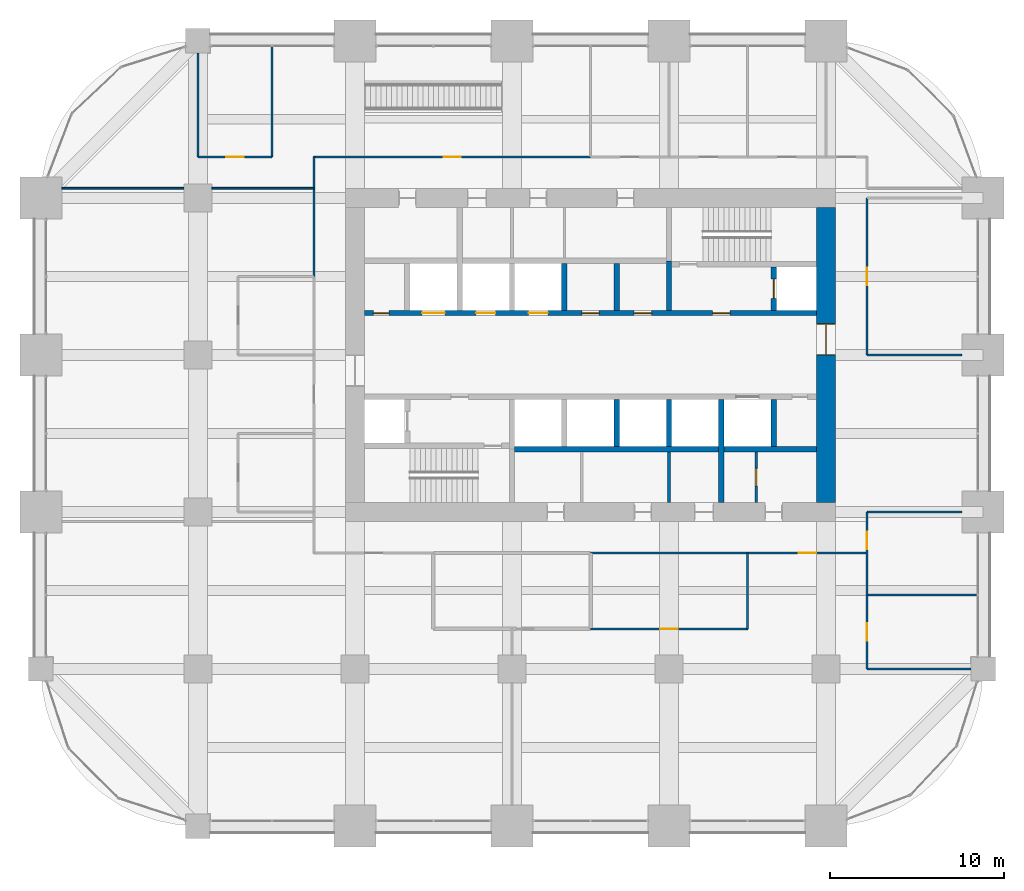
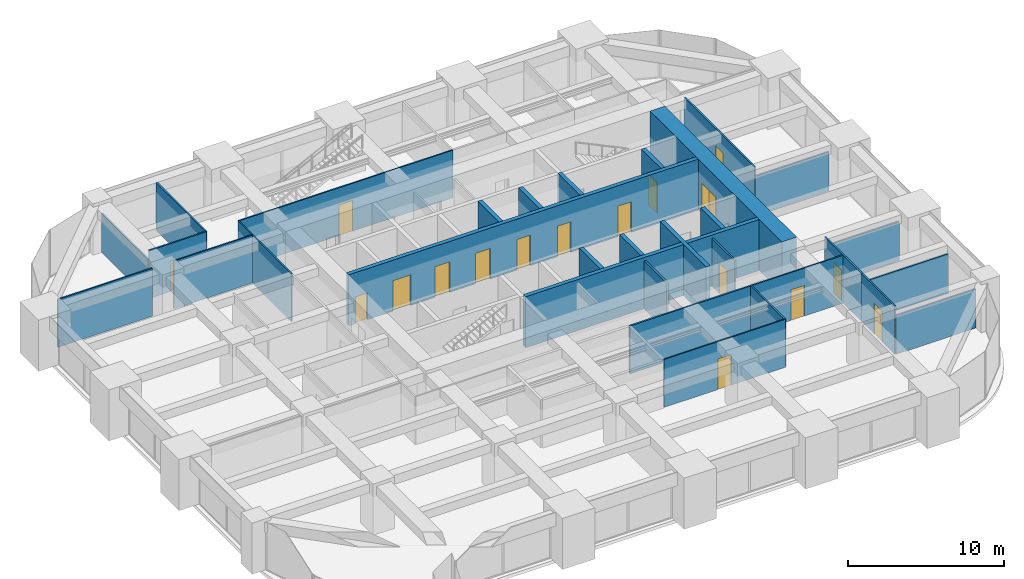
# One storey, part 30 of 33: 31 walls, 17 doors, 17 openings.
"""IFC4 building model written with IfcOpenShell, lengths in metres."""

from ifc_helpers import new_model, si_unit, direction, frame, frame_2d, origin, place, context, subcontext, project, spatial, rectangle, extrude, material, layer, layer_set, type_object, element, fill, save


model = new_model("IFC4")

# Units and contexts
model_context = context("Model", 3, precision=1e-05, world=origin(), true_north=direction((0.0, 1.0)))
body_context = subcontext(model_context, "Body", "Model", "MODEL_VIEW")
ifc_project = project(units=[si_unit("LENGTHUNIT", "METRE"), si_unit("AREAUNIT", "SQUARE_METRE"), si_unit("VOLUMEUNIT", "CUBIC_METRE"), si_unit("PLANEANGLEUNIT", "RADIAN"), si_unit("MASSUNIT", "GRAM", prefix="KILO")], contexts=[model_context])

# Site, building, storey
site_placement = place(None, origin())
site = spatial("IfcSite", under=ifc_project, at=site_placement, CompositionType="ELEMENT")
building_placement = place(site_placement, origin())
building = spatial("IfcBuilding", under=site, at=building_placement, Name="Zorevar Civic Tower", CompositionType="ELEMENT")
storey_placement = place(building_placement, frame((0.0, 0.0, 194.199951171875)))
storey = spatial("IfcBuildingStorey", under=building, at=storey_placement, Name="L47", CompositionType="ELEMENT", Elevation=194.199951171875)

# Wall, opening, door
ifc_material_1 = material(Name="Concrete C50/60", Category="concrete")
ifc_layer_1 = layer(ifc_material_1, 1.10009765625)
ifc_layer_set_1 = layer_set([ifc_layer_1], Name="Core wall 1100")
wall_type_1 = type_object("IfcWallType", Name="Core wall 1100", PredefinedType="SHEAR", material=ifc_layer_set_1)
wall_1_placement = place(storey_placement, frame((45.0, 18.550048828125, 0.0), z_axis=(0.0, 0.0, 1.0), x_axis=(0.0, 1.0, 0.0)))
wall_1 = element("IfcWall", 1, at=wall_1_placement, inside=storey, type_object=wall_type_1, Name="Core wall E L47", PredefinedType="SHEAR", context=body_context, shape_type="SweptSolid", body=[
    extrude(rectangle(XDim=16.89990234375, YDim=1.10009765625, at=frame_2d((8.449951171875, 0.0))), origin(), (0.0, 0.0, 1.0), 4.0),
])
opening_1_placement = place(wall_1_placement, frame((8.449951171875, 0.0, 0.0)))
opening_1 = element("IfcOpeningElement", 2, at=opening_1_placement, cuts=wall_1, Name="Opening L47.02", PredefinedType="OPENING", context=body_context, shape_type="SweptSolid", body=[
    extrude(rectangle(XDim=1.800048828125, YDim=2.39990234375, at=frame_2d((0.89990234375, 1.199951171875))), frame((0.0, 0.56005859375, 0.0), z_axis=(0.0, -1.0, 0.0), x_axis=(1.0, 0.0, 0.0)), (0.0, 0.0, 1.0), 1.1201171875),
])
ifc_material_2 = material(Name="Steel door set", Category="steel")
door_type_1 = type_object("IfcDoorType", Name="Fire door FD2 1800x2400", OperationType="DOUBLE_DOOR_DOUBLE_SWING", PredefinedType="DOOR", material=ifc_material_2)
door_1_placement = place(opening_1_placement, origin())
door_1 = element("IfcDoor", 3, at=door_1_placement, inside=storey, type_object=door_type_1, Name="Door L47 01", OperationType="DOUBLE_DOOR_DOUBLE_SWING", OverallHeight=2.39990234375, OverallWidth=1.800048828125, PredefinedType="DOOR", context=body_context, shape_type="SweptSolid", body=[
    extrude(rectangle(XDim=1.800048828125, YDim=2.39990234375, at=frame_2d((0.89990234375, 1.199951171875))), frame((0.0, 0.030029296875, 0.0), z_axis=(0.0, -1.0, 0.0), x_axis=(1.0, 0.0, 0.0)), (0.0, 0.0, 1.0), 0.06005859375),
    extrude(rectangle(XDim=0.04, YDim=2.39990234375, at=frame_2d((0.02001953125, 1.199951171875))), frame((0.0, 0.5498046875, 0.0), z_axis=(0.0, -1.0, 0.0), x_axis=(1.0, 0.0, 0.0)), (0.0, 0.0, 1.0), 1.099609375),
    extrude(rectangle(XDim=0.04, YDim=2.39990234375, at=frame_2d((1.780029296875, 1.199951171875))), frame((0.0, 0.5498046875, 0.0), z_axis=(0.0, -1.0, 0.0), x_axis=(1.0, 0.0, 0.0)), (0.0, 0.0, 1.0), 1.099609375),
    extrude(rectangle(XDim=1.800048828125, YDim=0.04, at=frame_2d((0.89990234375, 2.3798828125))), frame((0.0, 0.5498046875, 0.0), z_axis=(0.0, -1.0, 0.0), x_axis=(1.0, 0.0, 0.0)), (0.0, 0.0, 1.0), 1.099609375),
])
fill(opening_1, door_1)

ifc_material_3 = material(Name="Laminated glass in black aluminium frame", Category="aluminium")
ifc_layer_2 = layer(ifc_material_3, 0.10009765625)
ifc_layer_set_2 = layer_set([ifc_layer_2], Name="Glazed partition 100")
wall_type_2 = type_object("IfcWallType", Name="Glazed partition 100", PredefinedType="PARTITIONING", material=ifc_layer_set_2)
wall_2_placement = place(storey_placement, frame((31.5, 11.300048828125, 0.0), z_axis=(0.0, 0.0, 1.0), x_axis=(1.0, 0.0, 0.0)))
wall_2 = element("IfcWall", 4, at=wall_2_placement, inside=storey, type_object=wall_type_2, Name="Glazed partition 100 L47", PredefinedType="PARTITIONING", context=body_context, shape_type="SweptSolid", body=[
    extrude(rectangle(XDim=9.0, YDim=0.10009765625, at=frame_2d((4.5, 0.0))), origin(), (0.0, 0.0, 1.0), 3.75),
])
opening_2_placement = place(wall_2_placement, frame((4.0, 0.0, 0.0)))
opening_2 = element("IfcOpeningElement", 5, at=opening_2_placement, cuts=wall_2, Name="Opening L47.18", PredefinedType="OPENING", context=body_context, shape_type="SweptSolid", body=[
    extrude(rectangle(XDim=1.0, YDim=2.39990234375, at=frame_2d((0.5, 1.199951171875))), frame((0.0, 0.06005859375, 0.0), z_axis=(0.0, -1.0, 0.0), x_axis=(1.0, 0.0, 0.0)), (0.0, 0.0, 1.0), 0.1201171875),
])
ifc_material_4 = material(Name="Timber door set", Category="wood")
door_type_2 = type_object("IfcDoorType", Name="Glazed door GD1 1000x2400", OperationType="SINGLE_SWING_LEFT", PredefinedType="DOOR", material=ifc_material_4)
door_2_placement = place(opening_2_placement, origin())
door_2 = element("IfcDoor", 6, at=door_2_placement, inside=storey, type_object=door_type_2, Name="Door L47 D1", OperationType="SINGLE_SWING_LEFT", OverallHeight=2.39990234375, OverallWidth=1.0, PredefinedType="DOOR", context=body_context, shape_type="SweptSolid", body=[
    extrude(rectangle(XDim=1.0, YDim=2.39990234375, at=frame_2d((0.5, 1.199951171875))), frame((0.0, 0.02001953125, 0.0), z_axis=(0.0, -1.0, 0.0), x_axis=(1.0, 0.0, 0.0)), (0.0, 0.0, 1.0), 0.0400390625),
])
fill(opening_2, door_2)

wall_3_placement = place(storey_placement, frame((40.5, 15.64990234375, 0.0), z_axis=(0.0, 0.0, 1.0), x_axis=(1.0, 0.0, 0.0)))
wall_3 = element("IfcWall", 7, at=wall_3_placement, inside=storey, type_object=wall_type_2, Name="Glazed partition 100 L47", PredefinedType="PARTITIONING", context=body_context, shape_type="SweptSolid", body=[
    extrude(rectangle(XDim=6.85009765625, YDim=0.10009765625, at=frame_2d((3.425048828125, 0.0))), origin(), (0.0, 0.0, 1.0), 3.75),
])
opening_3_placement = place(wall_3_placement, frame((2.925048828125, 0.0, 0.0)))
opening_3 = element("IfcOpeningElement", 8, at=opening_3_placement, cuts=wall_3, Name="Opening L47.20", PredefinedType="OPENING", context=body_context, shape_type="SweptSolid", body=[
    extrude(rectangle(XDim=1.0, YDim=2.39990234375, at=frame_2d((0.5, 1.199951171875))), frame((0.0, 0.06005859375, 0.0), z_axis=(0.0, -1.0, 0.0), x_axis=(1.0, 0.0, 0.0)), (0.0, 0.0, 1.0), 0.1201171875),
])
door_3_placement = place(opening_3_placement, origin())
door_3 = element("IfcDoor", 9, at=door_3_placement, inside=storey, type_object=door_type_2, Name="Door L47 D1", OperationType="SINGLE_SWING_RIGHT", OverallHeight=2.39990234375, OverallWidth=1.0, PredefinedType="DOOR", context=body_context, shape_type="SweptSolid", body=[
    extrude(rectangle(XDim=1.0, YDim=2.39990234375, at=frame_2d((0.5, 1.199951171875))), frame((0.0, 0.02001953125, 0.0), z_axis=(0.0, -1.0, 0.0), x_axis=(1.0, 0.0, 0.0)), (0.0, 0.0, 1.0), 0.0400390625),
])
fill(opening_3, door_3)

# Walls
wall_4_placement = place(storey_placement, frame((1.199951171875, 36.550048828125, 0.0), z_axis=(0.0, 0.0, 1.0), x_axis=(1.0, 0.0, 0.0)))
element("IfcWall", 10, at=wall_4_placement, inside=storey, type_object=wall_type_2, Name="Glazed partition 100 L47", PredefinedType="PARTITIONING", context=body_context, shape_type="SweptSolid", body=[
    extrude(rectangle(XDim=7.0, YDim=0.10009765625, at=frame_2d((3.5, 0.0))), origin(), (0.0, 0.0, 1.0), 3.75),
])
wall_5_placement = place(storey_placement, frame((9.800048828125, 36.550048828125, 0.0), z_axis=(0.0, 0.0, 1.0), x_axis=(1.0, 0.0, 0.0)))
element("IfcWall", 11, at=wall_5_placement, inside=storey, type_object=wall_type_2, Name="Glazed partition 100 L47", PredefinedType="PARTITIONING", context=body_context, shape_type="SweptSolid", body=[
    extrude(rectangle(XDim=5.849853515625, YDim=0.10009765625, at=frame_2d((2.9248046875, 0.0))), origin(), (0.0, 0.0, 1.0), 3.75),
])

# Wall, opening, door
wall_6_placement = place(storey_placement, frame((15.64990234375, 38.35009765625, 0.0), z_axis=(0.0, 0.0, 1.0), x_axis=(1.0, 0.0, 0.0)))
wall_6 = element("IfcWall", 12, at=wall_6_placement, inside=storey, type_object=wall_type_2, Name="Glazed partition 100 L47", PredefinedType="PARTITIONING", context=body_context, shape_type="SweptSolid", body=[
    extrude(rectangle(XDim=15.85009765625, YDim=0.10009765625, at=frame_2d((7.925048828125, 0.0))), origin(), (0.0, 0.0, 1.0), 3.75),
])
opening_4_placement = place(wall_6_placement, frame((7.425048828125, 0.0, 0.0)))
opening_4 = element("IfcOpeningElement", 13, at=opening_4_placement, cuts=wall_6, Name="Opening L47.25", PredefinedType="OPENING", context=body_context, shape_type="SweptSolid", body=[
    extrude(rectangle(XDim=1.0, YDim=2.39990234375, at=frame_2d((0.5, 1.199951171875))), frame((0.0, 0.06005859375, 0.0), z_axis=(0.0, -1.0, 0.0), x_axis=(1.0, 0.0, 0.0)), (0.0, 0.0, 1.0), 0.1201171875),
])
door_4_placement = place(opening_4_placement, origin())
door_4 = element("IfcDoor", 14, at=door_4_placement, inside=storey, type_object=door_type_2, Name="Door L47 D1", OperationType="SINGLE_SWING_LEFT", OverallHeight=2.39990234375, OverallWidth=1.0, PredefinedType="DOOR", context=body_context, shape_type="SweptSolid", body=[
    extrude(rectangle(XDim=1.0, YDim=2.39990234375, at=frame_2d((0.5, 1.199951171875))), frame((0.0, 0.02001953125, 0.0), z_axis=(0.0, -1.0, 0.0), x_axis=(1.0, 0.0, 0.0)), (0.0, 0.0, 1.0), 0.0400390625),
])
fill(opening_4, door_4)

# Wall
wall_7_placement = place(storey_placement, frame((15.64990234375, 31.5, 0.0), z_axis=(0.0, 0.0, 1.0), x_axis=(0.0, 1.0, 0.0)))
element("IfcWall", 15, at=wall_7_placement, inside=storey, type_object=wall_type_2, Name="Glazed partition 100 L47", PredefinedType="PARTITIONING", context=body_context, shape_type="SweptSolid", body=[
    extrude(rectangle(XDim=6.85009765625, YDim=0.10009765625, at=frame_2d((3.425048828125, 0.0))), origin(), (0.0, 0.0, 1.0), 3.75),
])

# Wall, opening, door
ifc_material_5 = material(Name="Concrete C40/50", Category="concrete")
ifc_layer_3 = layer(ifc_material_5, 0.300048828125)
ifc_layer_set_3 = layer_set([ifc_layer_3], Name="Inner core wall 300")
wall_type_3 = type_object("IfcWallType", Name="Inner core wall 300", PredefinedType="SHEAR", material=ifc_layer_set_3)
wall_8_placement = place(storey_placement, frame((42.0, 29.550048828125, 0.0), z_axis=(0.0, 0.0, 1.0), x_axis=(0.0, 1.0, 0.0)))
wall_8 = element("IfcWall", 16, at=wall_8_placement, inside=storey, type_object=wall_type_3, Name="Inner core wall N02 L47", PredefinedType="SHEAR", context=body_context, shape_type="SweptSolid", body=[
    extrude(rectangle(XDim=2.5, YDim=0.300048828125, at=frame_2d((1.25, 0.0))), origin(), (0.0, 0.0, 1.0), 4.0),
])
opening_5_placement = place(wall_8_placement, frame((0.699951171875, 0.0, 0.0)))
opening_5 = element("IfcOpeningElement", 17, at=opening_5_placement, cuts=wall_8, Name="Opening L47.FL2", PredefinedType="OPENING", context=body_context, shape_type="SweptSolid", body=[
    extrude(rectangle(XDim=1.10009765625, YDim=2.39990234375, at=frame_2d((0.550048828125, 1.199951171875))), frame((0.0, 0.159912109375, 0.0), z_axis=(0.0, -1.0, 0.0), x_axis=(1.0, 0.0, 0.0)), (0.0, 0.0, 1.0), 0.320068359375),
])
ifc_material_6 = material(Name="Steel door set", Category="steel")
door_type_3 = type_object("IfcDoorType", Name="Firefighting lift landing door LD3 1100x2400", OperationType="DOUBLE_DOOR_SLIDING", PredefinedType="DOOR", material=ifc_material_6)
door_5_placement = place(opening_5_placement, origin())
door_5 = element("IfcDoor", 18, at=door_5_placement, inside=storey, type_object=door_type_3, Name="Landing door FL2 L47", OperationType="DOUBLE_DOOR_SLIDING", OverallHeight=2.39990234375, OverallWidth=1.10009765625, PredefinedType="DOOR", context=body_context, shape_type="SweptSolid", body=[
    extrude(rectangle(XDim=1.10009765625, YDim=2.39990234375, at=frame_2d((0.550048828125, 1.199951171875))), frame((0.0, 0.030029296875, 0.0), z_axis=(0.0, -1.0, 0.0), x_axis=(1.0, 0.0, 0.0)), (0.0, 0.0, 1.0), 0.06005859375),
])
fill(opening_5, door_5)

# Wall, openings, doors
wall_9_placement = place(storey_placement, frame((18.550048828125, 29.39990234375, 0.0), z_axis=(0.0, 0.0, 1.0), x_axis=(1.0, 0.0, 0.0)))
wall_9 = element("IfcWall", 19, at=wall_9_placement, inside=storey, type_object=wall_type_3, Name="Inner core wall N03 L47", PredefinedType="SHEAR", context=body_context, shape_type="SweptSolid", body=[
    extrude(rectangle(XDim=25.89990234375, YDim=0.300048828125, at=frame_2d((12.949951171875, 0.0))), origin(), (0.0, 0.0, 1.0), 4.0),
])
opening_6_placement = place(wall_9_placement, frame((19.949951171875, 0.0, 0.0)))
opening_6 = element("IfcOpeningElement", 20, at=opening_6_placement, cuts=wall_9, Name="Opening L47.14", PredefinedType="OPENING", context=body_context, shape_type="SweptSolid", body=[
    extrude(rectangle(XDim=1.0, YDim=2.39990234375, at=frame_2d((0.5, 1.199951171875))), frame((0.0, 0.159912109375, 0.0), z_axis=(0.0, -1.0, 0.0), x_axis=(1.0, 0.0, 0.0)), (0.0, 0.0, 1.0), 0.320068359375),
])
opening_7_placement = place(wall_9_placement, frame((0.5, 0.0, 0.0)))
opening_7 = element("IfcOpeningElement", 21, at=opening_7_placement, cuts=wall_9, Name="Opening L47.16", PredefinedType="OPENING", context=body_context, shape_type="SweptSolid", body=[
    extrude(rectangle(XDim=0.89990234375, YDim=2.10009765625, at=frame_2d((0.449951171875, 1.050048828125))), frame((0.0, 0.159912109375, 0.0), z_axis=(0.0, -1.0, 0.0), x_axis=(1.0, 0.0, 0.0)), (0.0, 0.0, 1.0), 0.320068359375),
])
opening_8_placement = place(wall_9_placement, frame((15.449951171875, 0.0, 0.0)))
opening_8 = element("IfcOpeningElement", 22, at=opening_8_placement, cuts=wall_9, Name="Opening L47.34", PredefinedType="OPENING", context=body_context, shape_type="SweptSolid", body=[
    extrude(rectangle(XDim=1.0, YDim=2.39990234375, at=frame_2d((0.5, 1.199951171875))), frame((0.0, 0.159912109375, 0.0), z_axis=(0.0, -1.0, 0.0), x_axis=(1.0, 0.0, 0.0)), (0.0, 0.0, 1.0), 0.320068359375),
])
opening_9_placement = place(wall_9_placement, frame((12.449951171875, 0.0, 0.0)))
opening_9 = element("IfcOpeningElement", 23, at=opening_9_placement, cuts=wall_9, Name="Opening L47.35", PredefinedType="OPENING", context=body_context, shape_type="SweptSolid", body=[
    extrude(rectangle(XDim=1.0, YDim=2.39990234375, at=frame_2d((0.5, 1.199951171875))), frame((0.0, 0.159912109375, 0.0), z_axis=(0.0, -1.0, 0.0), x_axis=(1.0, 0.0, 0.0)), (0.0, 0.0, 1.0), 0.320068359375),
])
opening_10_placement = place(wall_9_placement, frame((9.39990234375, 0.0, 0.0)))
opening_10 = element("IfcOpeningElement", 24, at=opening_10_placement, cuts=wall_9, Name="Opening L47.LH1", PredefinedType="OPENING", context=body_context, shape_type="SweptSolid", body=[
    extrude(rectangle(XDim=1.10009765625, YDim=2.39990234375, at=frame_2d((0.550048828125, 1.199951171875))), frame((0.0, 0.159912109375, 0.0), z_axis=(0.0, -1.0, 0.0), x_axis=(1.0, 0.0, 0.0)), (0.0, 0.0, 1.0), 0.320068359375),
])
opening_11_placement = place(wall_9_placement, frame((6.39990234375, 0.0, 0.0)))
opening_11 = element("IfcOpeningElement", 25, at=opening_11_placement, cuts=wall_9, Name="Opening L47.LH2", PredefinedType="OPENING", context=body_context, shape_type="SweptSolid", body=[
    extrude(rectangle(XDim=1.10009765625, YDim=2.39990234375, at=frame_2d((0.550048828125, 1.199951171875))), frame((0.0, 0.159912109375, 0.0), z_axis=(0.0, -1.0, 0.0), x_axis=(1.0, 0.0, 0.0)), (0.0, 0.0, 1.0), 0.320068359375),
])
opening_12_placement = place(wall_9_placement, frame((3.300048828125, 0.0, 0.0)))
opening_12 = element("IfcOpeningElement", 26, at=opening_12_placement, cuts=wall_9, Name="Opening L47.SL2", PredefinedType="OPENING", context=body_context, shape_type="SweptSolid", body=[
    extrude(rectangle(XDim=1.300048828125, YDim=2.39990234375, at=frame_2d((0.64990234375, 1.199951171875))), frame((0.0, 0.159912109375, 0.0), z_axis=(0.0, -1.0, 0.0), x_axis=(1.0, 0.0, 0.0)), (0.0, 0.0, 1.0), 0.320068359375),
])
ifc_material_7 = material(Name="Steel door set", Category="steel")
door_type_4 = type_object("IfcDoorType", Name="Fire door FD1 1000x2400", OperationType="SINGLE_SWING_LEFT", PredefinedType="DOOR", material=ifc_material_7)
door_6_placement = place(opening_6_placement, origin())
door_6 = element("IfcDoor", 27, at=door_6_placement, inside=storey, type_object=door_type_4, Name="Door L47 13", OperationType="SINGLE_SWING_RIGHT", OverallHeight=2.39990234375, OverallWidth=1.0, PredefinedType="DOOR", context=body_context, shape_type="SweptSolid", body=[
    extrude(rectangle(XDim=1.0, YDim=2.39990234375, at=frame_2d((0.5, 1.199951171875))), frame((0.0, 0.030029296875, 0.0), z_axis=(0.0, -1.0, 0.0), x_axis=(1.0, 0.0, 0.0)), (0.0, 0.0, 1.0), 0.06005859375),
])
fill(opening_6, door_6)
door_7_placement = place(opening_8_placement, origin())
door_7 = element("IfcDoor", 28, at=door_7_placement, inside=storey, type_object=door_type_4, Name="Door L47 LM1 shaft room", OperationType="SINGLE_SWING_LEFT", OverallHeight=2.39990234375, OverallWidth=1.0, PredefinedType="DOOR", context=body_context, shape_type="SweptSolid", body=[
    extrude(rectangle(XDim=1.0, YDim=2.39990234375, at=frame_2d((0.5, 1.199951171875))), frame((0.0, 0.030029296875, 0.0), z_axis=(0.0, -1.0, 0.0), x_axis=(1.0, 0.0, 0.0)), (0.0, 0.0, 1.0), 0.06005859375),
])
fill(opening_8, door_7)
door_8_placement = place(opening_9_placement, origin())
door_8 = element("IfcDoor", 29, at=door_8_placement, inside=storey, type_object=door_type_4, Name="Door L47 LM2 shaft room", OperationType="SINGLE_SWING_RIGHT", OverallHeight=2.39990234375, OverallWidth=1.0, PredefinedType="DOOR", context=body_context, shape_type="SweptSolid", body=[
    extrude(rectangle(XDim=1.0, YDim=2.39990234375, at=frame_2d((0.5, 1.199951171875))), frame((0.0, 0.030029296875, 0.0), z_axis=(0.0, -1.0, 0.0), x_axis=(1.0, 0.0, 0.0)), (0.0, 0.0, 1.0), 0.06005859375),
])
fill(opening_9, door_8)
ifc_material_8 = material(Name="Steel door set", Category="steel")
door_type_5 = type_object("IfcDoorType", Name="Landing door LD1 1100x2400", OperationType="DOUBLE_DOOR_SLIDING", PredefinedType="DOOR", material=ifc_material_8)
door_9_placement = place(opening_10_placement, origin())
door_9 = element("IfcDoor", 30, at=door_9_placement, inside=storey, type_object=door_type_5, Name="Landing door LH1 L47", OperationType="DOUBLE_DOOR_SLIDING", OverallHeight=2.39990234375, OverallWidth=1.10009765625, PredefinedType="DOOR", context=body_context, shape_type="SweptSolid", body=[
    extrude(rectangle(XDim=1.10009765625, YDim=2.39990234375, at=frame_2d((0.550048828125, 1.199951171875))), frame((0.0, 0.02001953125, 0.0), z_axis=(0.0, -1.0, 0.0), x_axis=(1.0, 0.0, 0.0)), (0.0, 0.0, 1.0), 0.0400390625),
])
fill(opening_10, door_9)
door_10_placement = place(opening_11_placement, origin())
door_10 = element("IfcDoor", 31, at=door_10_placement, inside=storey, type_object=door_type_5, Name="Landing door LH2 L47", OperationType="DOUBLE_DOOR_SLIDING", OverallHeight=2.39990234375, OverallWidth=1.10009765625, PredefinedType="DOOR", context=body_context, shape_type="SweptSolid", body=[
    extrude(rectangle(XDim=1.10009765625, YDim=2.39990234375, at=frame_2d((0.550048828125, 1.199951171875))), frame((0.0, 0.02001953125, 0.0), z_axis=(0.0, -1.0, 0.0), x_axis=(1.0, 0.0, 0.0)), (0.0, 0.0, 1.0), 0.0400390625),
])
fill(opening_11, door_10)
ifc_material_9 = material(Name="Steel door set", Category="steel")
door_type_6 = type_object("IfcDoorType", Name="Landing door LD2 1300x2400", OperationType="DOUBLE_DOOR_SLIDING", PredefinedType="DOOR", material=ifc_material_9)
door_11_placement = place(opening_12_placement, origin())
door_11 = element("IfcDoor", 32, at=door_11_placement, inside=storey, type_object=door_type_6, Name="Landing door SL2 L47", OperationType="DOUBLE_DOOR_SLIDING", OverallHeight=2.39990234375, OverallWidth=1.300048828125, PredefinedType="DOOR", context=body_context, shape_type="SweptSolid", body=[
    extrude(rectangle(XDim=1.300048828125, YDim=2.39990234375, at=frame_2d((0.64990234375, 1.199951171875))), frame((0.0, 0.02001953125, 0.0), z_axis=(0.0, -1.0, 0.0), x_axis=(1.0, 0.0, 0.0)), (0.0, 0.0, 1.0), 0.0400390625),
])
fill(opening_12, door_11)
ifc_material_10 = material(Name="Steel door set", Category="steel")
door_type_7 = type_object("IfcDoorType", Name="Riser door RD1 900x2100", OperationType="SINGLE_SWING_LEFT", PredefinedType="DOOR", material=ifc_material_10)
door_12_placement = place(opening_7_placement, origin())
door_12 = element("IfcDoor", 33, at=door_12_placement, inside=storey, type_object=door_type_7, Name="Door L47 15", OperationType="SINGLE_SWING_RIGHT", OverallHeight=2.10009765625, OverallWidth=0.89990234375, PredefinedType="DOOR", context=body_context, shape_type="SweptSolid", body=[
    extrude(rectangle(XDim=0.89990234375, YDim=2.10009765625, at=frame_2d((0.449951171875, 1.050048828125))), frame((0.0, 0.030029296875, 0.0), z_axis=(0.0, -1.0, 0.0), x_axis=(1.0, 0.0, 0.0)), (0.0, 0.0, 1.0), 0.06005859375),
])
fill(opening_7, door_12)

# Walls
wall_10_placement = place(storey_placement, frame((27.14990234375, 21.60009765625, 0.0), z_axis=(0.0, 0.0, 1.0), x_axis=(1.0, 0.0, 0.0)))
element("IfcWall", 34, at=wall_10_placement, inside=storey, type_object=wall_type_3, Name="Inner core wall S04 L47", PredefinedType="SHEAR", context=body_context, shape_type="SweptSolid", body=[
    extrude(rectangle(XDim=17.300048828125, YDim=0.300048828125, at=frame_2d((8.64990234375, 0.0))), origin(), (0.0, 0.0, 1.0), 4.0),
])
for number, where, z_axis, x_axis, name in (
    (35, (33.0, 29.550048828125, 0.0), (0.0, 0.0, 1.0), (0.0, 1.0, 0.0), "Inner core wall N05 L47"),
    (36, (33.0, 21.75, 0.0), (0.0, 0.0, 1.0), (0.0, 1.0, 0.0), "Inner core wall S06 L47"),
    (37, (30.0, 29.550048828125, 0.0), (0.0, 0.0, 1.0), (0.0, 1.0, 0.0), "Inner core wall N06 L47"),
    (38, (36.0, 21.75, 0.0), (0.0, 0.0, 1.0), (0.0, 1.0, 0.0), "Inner core wall S07 L47"),
):
    element("IfcWall", number, at=place(storey_placement, frame(where, z_axis=z_axis, x_axis=x_axis)), inside=storey, type_object=wall_type_3, Name=name, PredefinedType="SHEAR", context=body_context, shape_type="SweptSolid", body=[
        extrude(rectangle(XDim=2.699951171875, YDim=0.300048828125, at=frame_2d((1.35009765625, 0.0))), origin(), (0.0, 0.0, 1.0), 4.0),
    ])
wall_11_placement = place(storey_placement, frame((39.0, 18.550048828125, 0.0), z_axis=(0.0, 0.0, 1.0), x_axis=(0.0, 1.0, 0.0)))
element("IfcWall", 39, at=wall_11_placement, inside=storey, type_object=wall_type_3, Name="Inner core wall S08 L47", PredefinedType="SHEAR", context=body_context, shape_type="SweptSolid", body=[
    extrude(rectangle(XDim=5.89990234375, YDim=0.300048828125, at=frame_2d((2.949951171875, 0.0))), origin(), (0.0, 0.0, 1.0), 4.0),
])
wall_12_placement = place(storey_placement, frame((42.0, 21.75, 0.0), z_axis=(0.0, 0.0, 1.0), x_axis=(0.0, 1.0, 0.0)))
element("IfcWall", 40, at=wall_12_placement, inside=storey, type_object=wall_type_3, Name="Inner core wall S09 L47", PredefinedType="SHEAR", context=body_context, shape_type="SweptSolid", body=[
    extrude(rectangle(XDim=2.699951171875, YDim=0.300048828125, at=frame_2d((1.35009765625, 0.0))), origin(), (0.0, 0.0, 1.0), 4.0),
])
wall_13_placement = place(storey_placement, frame((36.0, 29.550048828125, 0.0), z_axis=(0.0, 0.0, 1.0), x_axis=(0.0, 1.0, 0.0)))
element("IfcWall", 41, at=wall_13_placement, inside=storey, type_object=wall_type_3, Name="Inner core wall N10 L47", PredefinedType="SHEAR", context=body_context, shape_type="SweptSolid", body=[
    extrude(rectangle(XDim=2.849853515625, YDim=0.300048828125, at=frame_2d((1.4248046875, 0.0))), origin(), (0.0, 0.0, 1.0), 4.0),
])
ifc_material_11 = material(Name="Gypsum board on steel studs", Category="steel")
ifc_layer_4 = layer(ifc_material_11, 0.1201171875)
ifc_layer_set_4 = layer_set([ifc_layer_4], Name="Partition 120")
wall_type_4 = type_object("IfcWallType", Name="Partition 120", PredefinedType="PARTITIONING", material=ifc_layer_set_4)
wall_14_placement = place(storey_placement, frame((47.35009765625, 9.0, 0.0), z_axis=(0.0, 0.0, 1.0), x_axis=(1.0, 0.0, 0.0)))
element("IfcWall", 42, at=wall_14_placement, inside=storey, type_object=wall_type_4, Name="Partition 120 L47", PredefinedType="PARTITIONING", context=body_context, shape_type="SweptSolid", body=[
    extrude(rectangle(XDim=5.949951171875, YDim=0.1201171875, at=frame_2d((2.97509765625, 0.0))), origin(), (0.0, 0.0, 1.0), 3.050048828125),
])
wall_15_placement = place(storey_placement, frame((47.35009765625, 13.25, 0.0), z_axis=(0.0, 0.0, 1.0), x_axis=(1.0, 0.0, 0.0)))
element("IfcWall", 43, at=wall_15_placement, inside=storey, type_object=wall_type_4, Name="Partition 120 L47", PredefinedType="PARTITIONING", context=body_context, shape_type="SweptSolid", body=[
    extrude(rectangle(XDim=6.33984375, YDim=0.1201171875, at=frame_2d((3.169921875, 0.0))), origin(), (0.0, 0.0, 1.0), 3.10009765625),
])
wall_16_placement = place(storey_placement, frame((31.5, 15.64990234375, 0.0), z_axis=(0.0, 0.0, 1.0), x_axis=(1.0, 0.0, 0.0)))
element("IfcWall", 44, at=wall_16_placement, inside=storey, type_object=wall_type_4, Name="Partition 120 L47", PredefinedType="PARTITIONING", context=body_context, shape_type="SweptSolid", body=[
    extrude(rectangle(XDim=9.0, YDim=0.1201171875, at=frame_2d((4.5, 0.0))), origin(), (0.0, 0.0, 1.0), 3.75),
])
for number, where, z_axis, x_axis, name in (
    (45, (47.35009765625, 18.0, 0.0), (0.0, 0.0, 1.0), (1.0, 0.0, 0.0), "Partition 120 L47"),
    (46, (47.35009765625, 27.0, 0.0), (0.0, 0.0, 1.0), (1.0, 0.0, 0.0), "Partition 120 L47"),
):
    element("IfcWall", number, at=place(storey_placement, frame(where, z_axis=z_axis, x_axis=x_axis)), inside=storey, type_object=wall_type_4, Name=name, PredefinedType="PARTITIONING", context=body_context, shape_type="SweptSolid", body=[
        extrude(rectangle(XDim=5.449951171875, YDim=0.1201171875, at=frame_2d((2.72509765625, 0.0))), origin(), (0.0, 0.0, 1.0), 3.050048828125),
    ])

# Wall, opening, door
wall_17_placement = place(storey_placement, frame((9.0, 38.35009765625, 0.0), z_axis=(0.0, 0.0, 1.0), x_axis=(1.0, 0.0, 0.0)))
wall_17 = element("IfcWall", 47, at=wall_17_placement, inside=storey, type_object=wall_type_4, Name="Partition 120 L47", PredefinedType="PARTITIONING", context=body_context, shape_type="SweptSolid", body=[
    extrude(rectangle(XDim=4.25, YDim=0.1201171875, at=frame_2d((2.125, 0.0))), origin(), (0.0, 0.0, 1.0), 3.75),
])
opening_13_placement = place(wall_17_placement, frame((1.625, 0.0, 0.0)))
opening_13 = element("IfcOpeningElement", 48, at=opening_13_placement, cuts=wall_17, Name="Opening L47.21", PredefinedType="OPENING", context=body_context, shape_type="SweptSolid", body=[
    extrude(rectangle(XDim=1.0, YDim=2.39990234375, at=frame_2d((0.5, 1.199951171875))), frame((0.0, 0.070068359375, 0.0), z_axis=(0.0, -1.0, 0.0), x_axis=(1.0, 0.0, 0.0)), (0.0, 0.0, 1.0), 0.14013671875),
])
ifc_material_12 = material(Name="Timber door set", Category="wood")
door_type_8 = type_object("IfcDoorType", Name="Door D1 1000x2400", OperationType="SINGLE_SWING_LEFT", PredefinedType="DOOR", material=ifc_material_12)
door_13_placement = place(opening_13_placement, origin())
door_13 = element("IfcDoor", 49, at=door_13_placement, inside=storey, type_object=door_type_8, Name="Door L47 D1", OperationType="SINGLE_SWING_RIGHT", OverallHeight=2.39990234375, OverallWidth=1.0, PredefinedType="DOOR", context=body_context, shape_type="SweptSolid", body=[
    extrude(rectangle(XDim=1.0, YDim=2.39990234375, at=frame_2d((0.5, 1.199951171875))), frame((0.0, 0.02490234375, 0.0), z_axis=(0.0, -1.0, 0.0), x_axis=(1.0, 0.0, 0.0)), (0.0, 0.0, 1.0), 0.050048828125),
])
fill(opening_13, door_13)

# Walls
wall_18_placement = place(storey_placement, frame((9.0, 38.35009765625, 0.0), z_axis=(0.0, 0.0, 1.0), x_axis=(0.0, 1.0, 0.0)))
element("IfcWall", 50, at=wall_18_placement, inside=storey, type_object=wall_type_4, Name="Partition 120 L47", PredefinedType="PARTITIONING", context=body_context, shape_type="SweptSolid", body=[
    extrude(rectangle(XDim=5.949951171875, YDim=0.1201171875, at=frame_2d((2.97509765625, 0.0))), origin(), (0.0, 0.0, 1.0), 3.050048828125),
])
wall_19_placement = place(storey_placement, frame((13.25, 38.35009765625, 0.0), z_axis=(0.0, 0.0, 1.0), x_axis=(0.0, 1.0, 0.0)))
element("IfcWall", 51, at=wall_19_placement, inside=storey, type_object=wall_type_4, Name="Partition 120 L47", PredefinedType="PARTITIONING", context=body_context, shape_type="SweptSolid", body=[
    extrude(rectangle(XDim=6.33984375, YDim=0.1201171875, at=frame_2d((3.169921875, 0.0))), origin(), (0.0, 0.0, 1.0), 3.75),
])
wall_20_placement = place(storey_placement, frame((40.5, 11.300048828125, 0.0), z_axis=(0.0, 0.0, 1.0), x_axis=(0.0, 1.0, 0.0)))
element("IfcWall", 52, at=wall_20_placement, inside=storey, type_object=wall_type_4, Name="Partition 120 L47", PredefinedType="PARTITIONING", context=body_context, shape_type="SweptSolid", body=[
    extrude(rectangle(XDim=4.349853515625, YDim=0.1201171875, at=frame_2d((2.1748046875, 0.0))), origin(), (0.0, 0.0, 1.0), 3.75),
])

# Wall, opening, door
wall_21_placement = place(storey_placement, frame((47.35009765625, 9.0, 0.0), z_axis=(0.0, 0.0, 1.0), x_axis=(0.0, 1.0, 0.0)))
wall_21 = element("IfcWall", 53, at=wall_21_placement, inside=storey, type_object=wall_type_4, Name="Partition 120 L47", PredefinedType="PARTITIONING", context=body_context, shape_type="SweptSolid", body=[
    extrude(rectangle(XDim=4.25, YDim=0.1201171875, at=frame_2d((2.125, 0.0))), origin(), (0.0, 0.0, 1.0), 3.75),
])
opening_14_placement = place(wall_21_placement, frame((1.625, 0.0, 0.0)))
opening_14 = element("IfcOpeningElement", 54, at=opening_14_placement, cuts=wall_21, Name="Opening L47.30", PredefinedType="OPENING", context=body_context, shape_type="SweptSolid", body=[
    extrude(rectangle(XDim=1.0, YDim=2.39990234375, at=frame_2d((0.5, 1.199951171875))), frame((0.0, 0.070068359375, 0.0), z_axis=(0.0, -1.0, 0.0), x_axis=(1.0, 0.0, 0.0)), (0.0, 0.0, 1.0), 0.14013671875),
])
door_14_placement = place(opening_14_placement, origin())
door_14 = element("IfcDoor", 55, at=door_14_placement, inside=storey, type_object=door_type_8, Name="Door L47 D1", OperationType="SINGLE_SWING_LEFT", OverallHeight=2.39990234375, OverallWidth=1.0, PredefinedType="DOOR", context=body_context, shape_type="SweptSolid", body=[
    extrude(rectangle(XDim=1.0, YDim=2.39990234375, at=frame_2d((0.5, 1.199951171875))), frame((0.0, 0.02490234375, 0.0), z_axis=(0.0, -1.0, 0.0), x_axis=(1.0, 0.0, 0.0)), (0.0, 0.0, 1.0), 0.050048828125),
])
fill(opening_14, door_14)

wall_22_placement = place(storey_placement, frame((47.35009765625, 13.25, 0.0), z_axis=(0.0, 0.0, 1.0), x_axis=(0.0, 1.0, 0.0)))
wall_22 = element("IfcWall", 56, at=wall_22_placement, inside=storey, type_object=wall_type_4, Name="Partition 120 L47", PredefinedType="PARTITIONING", context=body_context, shape_type="SweptSolid", body=[
    extrude(rectangle(XDim=4.75, YDim=0.1201171875, at=frame_2d((2.375, 0.0))), origin(), (0.0, 0.0, 1.0), 3.75),
])
opening_15_placement = place(wall_22_placement, frame((2.625, 0.0, 0.0)))
opening_15 = element("IfcOpeningElement", 57, at=opening_15_placement, cuts=wall_22, Name="Opening L47.31", PredefinedType="OPENING", context=body_context, shape_type="SweptSolid", body=[
    extrude(rectangle(XDim=1.0, YDim=2.39990234375, at=frame_2d((0.5, 1.199951171875))), frame((0.0, 0.070068359375, 0.0), z_axis=(0.0, -1.0, 0.0), x_axis=(1.0, 0.0, 0.0)), (0.0, 0.0, 1.0), 0.14013671875),
])
door_15_placement = place(opening_15_placement, origin())
door_15 = element("IfcDoor", 58, at=door_15_placement, inside=storey, type_object=door_type_8, Name="Door L47 D1", OperationType="SINGLE_SWING_RIGHT", OverallHeight=2.39990234375, OverallWidth=1.0, PredefinedType="DOOR", context=body_context, shape_type="SweptSolid", body=[
    extrude(rectangle(XDim=1.0, YDim=2.39990234375, at=frame_2d((0.5, 1.199951171875))), frame((0.0, 0.02490234375, 0.0), z_axis=(0.0, -1.0, 0.0), x_axis=(1.0, 0.0, 0.0)), (0.0, 0.0, 1.0), 0.050048828125),
])
fill(opening_15, door_15)

wall_23_placement = place(storey_placement, frame((47.35009765625, 27.0, 0.0), z_axis=(0.0, 0.0, 1.0), x_axis=(0.0, 1.0, 0.0)))
wall_23 = element("IfcWall", 59, at=wall_23_placement, inside=storey, type_object=wall_type_4, Name="Partition 120 L47", PredefinedType="PARTITIONING", context=body_context, shape_type="SweptSolid", body=[
    extrude(rectangle(XDim=9.0, YDim=0.1201171875, at=frame_2d((4.5, 0.0))), origin(), (0.0, 0.0, 1.0), 3.75),
])
opening_16_placement = place(wall_23_placement, frame((4.0, 0.0, 0.0)))
opening_16 = element("IfcOpeningElement", 60, at=opening_16_placement, cuts=wall_23, Name="Opening L47.32", PredefinedType="OPENING", context=body_context, shape_type="SweptSolid", body=[
    extrude(rectangle(XDim=1.0, YDim=2.39990234375, at=frame_2d((0.5, 1.199951171875))), frame((0.0, 0.070068359375, 0.0), z_axis=(0.0, -1.0, 0.0), x_axis=(1.0, 0.0, 0.0)), (0.0, 0.0, 1.0), 0.14013671875),
])
door_16_placement = place(opening_16_placement, origin())
door_16 = element("IfcDoor", 61, at=door_16_placement, inside=storey, type_object=door_type_8, Name="Door L47 D1", OperationType="SINGLE_SWING_LEFT", OverallHeight=2.39990234375, OverallWidth=1.0, PredefinedType="DOOR", context=body_context, shape_type="SweptSolid", body=[
    extrude(rectangle(XDim=1.0, YDim=2.39990234375, at=frame_2d((0.5, 1.199951171875))), frame((0.0, 0.02490234375, 0.0), z_axis=(0.0, -1.0, 0.0), x_axis=(1.0, 0.0, 0.0)), (0.0, 0.0, 1.0), 0.050048828125),
])
fill(opening_16, door_16)

wall_24_placement = place(storey_placement, frame((41.0, 18.550048828125, 0.0), z_axis=(0.0, 0.0, 1.0), x_axis=(0.0, 1.0, 0.0)))
wall_24 = element("IfcWall", 62, at=wall_24_placement, inside=storey, type_object=wall_type_4, Name="Partition L47", PredefinedType="PARTITIONING", context=body_context, shape_type="SweptSolid", body=[
    extrude(rectangle(XDim=2.89990234375, YDim=0.1201171875, at=frame_2d((1.449951171875, 0.0))), origin(), (0.0, 0.0, 1.0), 3.75),
])
opening_17_placement = place(wall_24_placement, frame((0.949951171875, 0.0, 0.0)))
opening_17 = element("IfcOpeningElement", 63, at=opening_17_placement, cuts=wall_24, Name="Opening L47.33", PredefinedType="OPENING", context=body_context, shape_type="SweptSolid", body=[
    extrude(rectangle(XDim=1.0, YDim=2.39990234375, at=frame_2d((0.5, 1.199951171875))), frame((0.0, 0.070068359375, 0.0), z_axis=(0.0, -1.0, 0.0), x_axis=(1.0, 0.0, 0.0)), (0.0, 0.0, 1.0), 0.14013671875),
])
door_17_placement = place(opening_17_placement, origin())
door_17 = element("IfcDoor", 64, at=door_17_placement, inside=storey, type_object=door_type_4, Name="Door L47 ES", OperationType="SINGLE_SWING_LEFT", OverallHeight=2.39990234375, OverallWidth=1.0, PredefinedType="DOOR", context=body_context, shape_type="SweptSolid", body=[
    extrude(rectangle(XDim=1.0, YDim=2.39990234375, at=frame_2d((0.5, 1.199951171875))), frame((0.0, 0.030029296875, 0.0), z_axis=(0.0, -1.0, 0.0), x_axis=(1.0, 0.0, 0.0)), (0.0, 0.0, 1.0), 0.06005859375),
])
fill(opening_17, door_17)

# Wall
ifc_material_13 = material(Name="Gypsum board on steel studs, moisture resistant", Category="steel")
ifc_layer_5 = layer(ifc_material_13, 0.14990234375)
ifc_layer_set_5 = layer_set([ifc_layer_5], Name="WC partition 150")
wall_type_5 = type_object("IfcWallType", Name="WC partition 150", PredefinedType="PARTITIONING", material=ifc_layer_set_5)
wall_25_placement = place(storey_placement, frame((36.0, 18.550048828125, 0.0), z_axis=(0.0, 0.0, 1.0), x_axis=(0.0, 1.0, 0.0)))
element("IfcWall", 65, at=wall_25_placement, inside=storey, type_object=wall_type_5, Name="WC partition L47", PredefinedType="PARTITIONING", context=body_context, shape_type="SweptSolid", body=[
    extrude(rectangle(XDim=2.89990234375, YDim=0.14990234375, at=frame_2d((1.449951171875, 0.0))), origin(), (0.0, 0.0, 1.0), 3.75),
])

save(model, "model.ifc")
